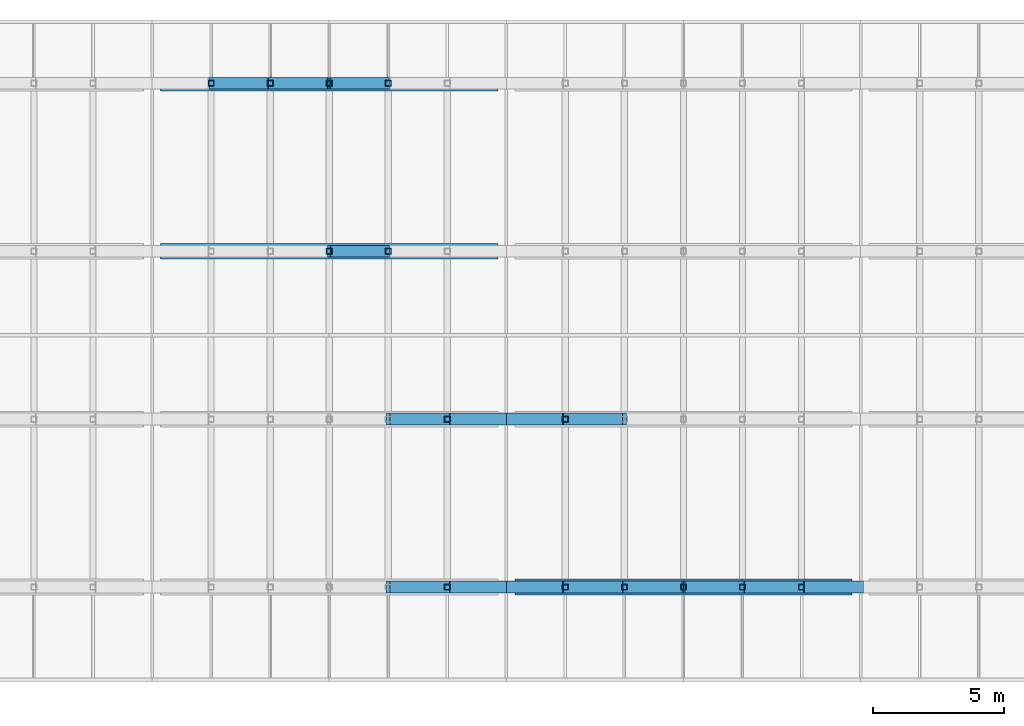
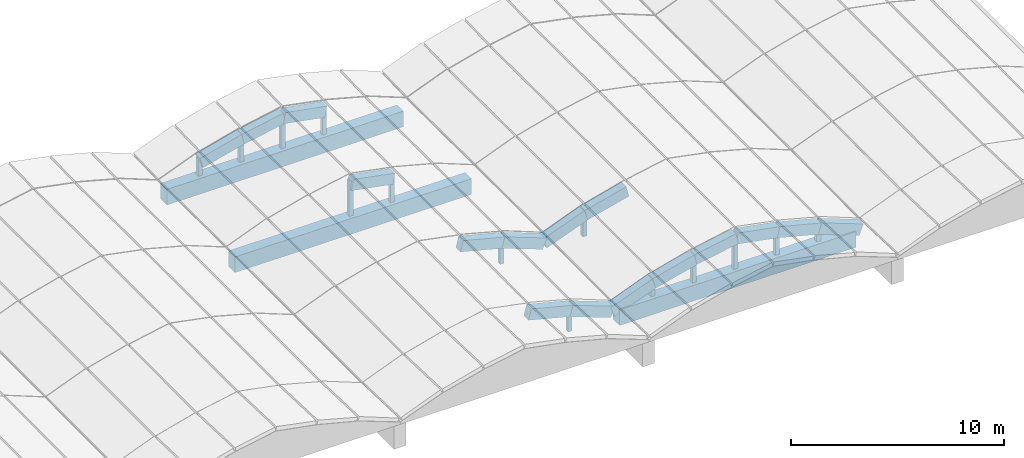
# One storey, part 7 of 15: 19 beams, 14 members.
"""IFC4 building model written with IfcOpenShell, lengths in metres."""

from ifc_helpers import new_model, si_unit, direction, frame, origin, origin_2d, place, context, subcontext, project, spatial, rectangle, hollow_rectangle, extrude, material, material_profile, profile_set, type_object, element, save


model = new_model("IFC4")

# Units and contexts
model_context = context("Model", 3, precision=1e-05, world=origin(), true_north=direction((0.0, 1.0)))
body_context = subcontext(model_context, "Body", "Model", "MODEL_VIEW")
ifc_project = project(units=[si_unit("LENGTHUNIT", "METRE"), si_unit("AREAUNIT", "SQUARE_METRE"), si_unit("VOLUMEUNIT", "CUBIC_METRE"), si_unit("PLANEANGLEUNIT", "RADIAN"), si_unit("MASSUNIT", "GRAM", prefix="KILO")], contexts=[model_context])

# Site, building, storey
site_placement = place(None, origin())
site = spatial("IfcSite", under=ifc_project, at=site_placement, CompositionType="ELEMENT")
building_placement = place(site_placement, origin())
building = spatial("IfcBuilding", under=site, at=building_placement, Name="Fikremerkos Civic Library", CompositionType="ELEMENT")
storey_placement = place(building_placement, frame((0.0, 0.0, 27.89990234375)))
storey = spatial("IfcBuildingStorey", under=building, at=storey_placement, Name="RF", CompositionType="ELEMENT", Elevation=27.89990234375)

# Members
ifc_material_1 = material(Name="Steel S355", Category="steel")
ifc_material_profile_1 = material_profile(ifc_material_1, hollow_rectangle(XDim=0.219970703125, YDim=0.219970703125, WallThickness=0.012451171875, at=origin_2d()), Name="SHS 220x220x12.5")
ifc_profile_set_1 = profile_set([ifc_material_profile_1], Name="Steel S355")
member_type = type_object("IfcMemberType", Name="Frame post PST-04 SHS 220x220x12.5", PredefinedType="POST", material=ifc_profile_set_1)
member_1_placement = place(storey_placement, frame((84.449951171875, 12.0, -0.75), z_axis=(0.0, 0.0, 1.0), x_axis=(1.0, 0.0, 0.0)))
element("IfcMember", 1, at=member_1_placement, inside=storey, type_object=member_type, Name="Vault tied-arch web post PST-04 V5 R1.5", PredefinedType="POST", context=body_context, shape_type="SweptSolid", body=[
    extrude(hollow_rectangle(XDim=0.219970703125, YDim=0.219970703125, WallThickness=0.012451171875, at=origin_2d()), origin(), (0.0, 0.0, 1.0), 1.43603515625),
])
member_2_placement = place(storey_placement, frame((84.449951171875, 18.39990234375, -0.75), z_axis=(0.0, 0.0, 1.0), x_axis=(1.0, 0.0, 0.0)))
element("IfcMember", 2, at=member_2_placement, inside=storey, type_object=member_type, Name="Vault tied-arch web post PST-04 V5 R2.5", PredefinedType="POST", context=body_context, shape_type="SweptSolid", body=[
    extrude(hollow_rectangle(XDim=0.219970703125, YDim=0.219970703125, WallThickness=0.012451171875, at=origin_2d()), origin(), (0.0, 0.0, 1.0), 1.47607421875),
])
member_3_placement = place(storey_placement, frame((79.949951171875, 24.800048828125, -0.75), z_axis=(0.0, 0.0, 1.0), x_axis=(1.0, 0.0, 0.0)))
element("IfcMember", 3, at=member_3_placement, inside=storey, type_object=member_type, Name="Vault tied-arch web post PST-04 V5 R3.3", PredefinedType="POST", context=body_context, shape_type="SweptSolid", body=[
    extrude(hollow_rectangle(XDim=0.219970703125, YDim=0.219970703125, WallThickness=0.012451171875, at=origin_2d()), origin(), (0.0, 0.0, 1.0), 2.47412109375),
])
member_4_placement = place(storey_placement, frame((82.199951171875, 24.800048828125, -0.75), z_axis=(0.0, 0.0, 1.0), x_axis=(1.0, 0.0, 0.0)))
element("IfcMember", 4, at=member_4_placement, inside=storey, type_object=member_type, Name="Vault tied-arch web post PST-04 V5 R3.4", PredefinedType="POST", context=body_context, shape_type="SweptSolid", body=[
    extrude(hollow_rectangle(XDim=0.219970703125, YDim=0.219970703125, WallThickness=0.012451171875, at=origin_2d()), origin(), (0.0, 0.0, 1.0), 2.05419921875),
])
member_5_placement = place(storey_placement, frame((75.449951171875, 31.199951171875, -0.75), z_axis=(0.0, 0.0, 1.0), x_axis=(1.0, 0.0, 0.0)))
element("IfcMember", 5, at=member_5_placement, inside=storey, type_object=member_type, Name="Vault tied-arch web post PST-04 V5 R4.1", PredefinedType="POST", context=body_context, shape_type="SweptSolid", body=[
    extrude(hollow_rectangle(XDim=0.219970703125, YDim=0.219970703125, WallThickness=0.012451171875, at=origin_2d()), origin(), (0.0, 0.0, 1.0), 1.43603515625),
])
member_6_placement = place(storey_placement, frame((77.699951171875, 31.199951171875, -0.75), z_axis=(0.0, 0.0, 1.0), x_axis=(1.0, 0.0, 0.0)))
element("IfcMember", 6, at=member_6_placement, inside=storey, type_object=member_type, Name="Vault tied-arch web post PST-04 V5 R4.2", PredefinedType="POST", context=body_context, shape_type="SweptSolid", body=[
    extrude(hollow_rectangle(XDim=0.219970703125, YDim=0.219970703125, WallThickness=0.012451171875, at=origin_2d()), origin(), (0.0, 0.0, 1.0), 2.01416015625),
])
member_7_placement = place(storey_placement, frame((79.949951171875, 31.199951171875, -0.75), z_axis=(0.0, 0.0, 1.0), x_axis=(1.0, 0.0, 0.0)))
element("IfcMember", 7, at=member_7_placement, inside=storey, type_object=member_type, Name="Vault tied-arch web post PST-04 V5 R4.3", PredefinedType="POST", context=body_context, shape_type="SweptSolid", body=[
    extrude(hollow_rectangle(XDim=0.219970703125, YDim=0.219970703125, WallThickness=0.012451171875, at=origin_2d()), origin(), (0.0, 0.0, 1.0), 2.43408203125),
])
member_8_placement = place(storey_placement, frame((82.199951171875, 31.199951171875, -0.75), z_axis=(0.0, 0.0, 1.0), x_axis=(1.0, 0.0, 0.0)))
element("IfcMember", 8, at=member_8_placement, inside=storey, type_object=member_type, Name="Vault tied-arch web post PST-04 V5 R4.4", PredefinedType="POST", context=body_context, shape_type="SweptSolid", body=[
    extrude(hollow_rectangle(XDim=0.219970703125, YDim=0.219970703125, WallThickness=0.012451171875, at=origin_2d()), origin(), (0.0, 0.0, 1.0), 2.01416015625),
])
member_9_placement = place(storey_placement, frame((88.949951171875, 12.0, -0.75), z_axis=(0.0, 0.0, 1.0), x_axis=(1.0, 0.0, 0.0)))
element("IfcMember", 9, at=member_9_placement, inside=storey, type_object=member_type, Name="Vault tied-arch web post PST-04 V6 R1.1", PredefinedType="POST", context=body_context, shape_type="SweptSolid", body=[
    extrude(hollow_rectangle(XDim=0.219970703125, YDim=0.219970703125, WallThickness=0.012451171875, at=origin_2d()), origin(), (0.0, 0.0, 1.0), 1.43603515625),
])
member_10_placement = place(storey_placement, frame((91.199951171875, 12.0, -0.75), z_axis=(0.0, 0.0, 1.0), x_axis=(1.0, 0.0, 0.0)))
element("IfcMember", 10, at=member_10_placement, inside=storey, type_object=member_type, Name="Vault tied-arch web post PST-04 V6 R1.2", PredefinedType="POST", context=body_context, shape_type="SweptSolid", body=[
    extrude(hollow_rectangle(XDim=0.219970703125, YDim=0.219970703125, WallThickness=0.012451171875, at=origin_2d()), origin(), (0.0, 0.0, 1.0), 2.01416015625),
])
member_11_placement = place(storey_placement, frame((93.449951171875, 12.0, -0.75), z_axis=(0.0, 0.0, 1.0), x_axis=(1.0, 0.0, 0.0)))
element("IfcMember", 11, at=member_11_placement, inside=storey, type_object=member_type, Name="Vault tied-arch web post PST-04 V6 R1.3", PredefinedType="POST", context=body_context, shape_type="SweptSolid", body=[
    extrude(hollow_rectangle(XDim=0.219970703125, YDim=0.219970703125, WallThickness=0.012451171875, at=origin_2d()), origin(), (0.0, 0.0, 1.0), 2.43408203125),
])
member_12_placement = place(storey_placement, frame((95.699951171875, 12.0, -0.75), z_axis=(0.0, 0.0, 1.0), x_axis=(1.0, 0.0, 0.0)))
element("IfcMember", 12, at=member_12_placement, inside=storey, type_object=member_type, Name="Vault tied-arch web post PST-04 V6 R1.4", PredefinedType="POST", context=body_context, shape_type="SweptSolid", body=[
    extrude(hollow_rectangle(XDim=0.219970703125, YDim=0.219970703125, WallThickness=0.012451171875, at=origin_2d()), origin(), (0.0, 0.0, 1.0), 2.01416015625),
])
member_13_placement = place(storey_placement, frame((97.949951171875, 12.0, -0.75), z_axis=(0.0, 0.0, 1.0), x_axis=(1.0, 0.0, 0.0)))
element("IfcMember", 13, at=member_13_placement, inside=storey, type_object=member_type, Name="Vault tied-arch web post PST-04 V6 R1.5", PredefinedType="POST", context=body_context, shape_type="SweptSolid", body=[
    extrude(hollow_rectangle(XDim=0.219970703125, YDim=0.219970703125, WallThickness=0.012451171875, at=origin_2d()), origin(), (0.0, 0.0, 1.0), 1.43603515625),
])
member_14_placement = place(storey_placement, frame((88.949951171875, 18.39990234375, -0.75), z_axis=(0.0, 0.0, 1.0), x_axis=(1.0, 0.0, 0.0)))
element("IfcMember", 14, at=member_14_placement, inside=storey, type_object=member_type, Name="Vault tied-arch web post PST-04 V6 R2.1", PredefinedType="POST", context=body_context, shape_type="SweptSolid", body=[
    extrude(hollow_rectangle(XDim=0.219970703125, YDim=0.219970703125, WallThickness=0.012451171875, at=origin_2d()), origin(), (0.0, 0.0, 1.0), 1.47607421875),
])

# Beams
ifc_material_2 = material(Name="Concrete C45/55", Category="concrete")
ifc_material_profile_2 = material_profile(ifc_material_2, rectangle(XDim=0.449951171875, YDim=0.6201171875, at=origin_2d()), Name="RC 450x620")
ifc_profile_set_2 = profile_set([ifc_material_profile_2], Name="Concrete C45/55")
beam_type_1 = type_object("IfcBeamType", Name="Primary girder vault arch rib BM-10 RC 450x620", PredefinedType="BEAM", material=ifc_profile_set_2)
beam_1_placement = place(storey_placement, frame((82.199951171875, 12.0, 1.07421875), z_axis=(0.968539266286, 0.0, -0.248860783698), x_axis=(0.0, 1.0, 0.0)))
element("IfcBeam", 15, at=beam_1_placement, inside=storey, type_object=beam_type_1, Name="Concrete vault arch rib BM-10 V5 R1.5", PredefinedType="BEAM", context=body_context, shape_type="SweptSolid", body=[
    extrude(rectangle(XDim=0.449951171875, YDim=0.6201171875, at=origin_2d()), origin(), (0.0, 0.0, 1.0), 2.322998046875),
])
beam_2_placement = place(storey_placement, frame((84.449951171875, 12.0, 0.49609375), z_axis=(0.936028311828, 0.0, -0.351924707084), x_axis=(0.0, 1.0, 0.0)))
element("IfcBeam", 16, at=beam_2_placement, inside=storey, type_object=beam_type_1, Name="Concrete vault arch rib BM-10 V5 R1.6", PredefinedType="BEAM", context=body_context, shape_type="SweptSolid", body=[
    extrude(rectangle(XDim=0.449951171875, YDim=0.6201171875, at=origin_2d()), origin(), (0.0, 0.0, 1.0), 2.40380859375),
])
beam_3_placement = place(storey_placement, frame((82.199951171875, 18.39990234375, 1.114013671875), z_axis=(0.968564592705, 0.0, -0.248762195197), x_axis=(0.0, 1.0, 0.0)))
element("IfcBeam", 17, at=beam_3_placement, inside=storey, type_object=beam_type_1, Name="Concrete vault arch rib BM-10 V5 R2.5", PredefinedType="BEAM", context=body_context, shape_type="SweptSolid", body=[
    extrude(rectangle(XDim=0.449951171875, YDim=0.6201171875, at=origin_2d()), origin(), (0.0, 0.0, 1.0), 2.322998046875),
])
beam_4_placement = place(storey_placement, frame((84.449951171875, 18.39990234375, 0.5361328125), z_axis=(0.936028311828, 0.0, -0.351924707084), x_axis=(0.0, 1.0, 0.0)))
element("IfcBeam", 18, at=beam_4_placement, inside=storey, type_object=beam_type_1, Name="Concrete vault arch rib BM-10 V5 R2.6", PredefinedType="BEAM", context=body_context, shape_type="SweptSolid", body=[
    extrude(rectangle(XDim=0.449951171875, YDim=0.6201171875, at=origin_2d()), origin(), (0.0, 0.0, 1.0), 2.40380859375),
])
beam_5_placement = place(storey_placement, frame((79.949951171875, 24.800048828125, 1.5341796875), z_axis=(0.983007163041, 0.0, -0.183567201345), x_axis=(0.0, 1.0, 0.0)))
element("IfcBeam", 19, at=beam_5_placement, inside=storey, type_object=beam_type_1, Name="Concrete vault arch rib BM-10 V5 R3.4", PredefinedType="BEAM", context=body_context, shape_type="SweptSolid", body=[
    extrude(rectangle(XDim=0.449951171875, YDim=0.6201171875, at=origin_2d()), origin(), (0.0, 0.0, 1.0), 2.288818359375),
])
beam_6_placement = place(storey_placement, frame((75.449951171875, 31.199951171875, 0.49609375), z_axis=(0.968539266286, 0.0, 0.248860783698), x_axis=(0.0, 1.0, 0.0)))
element("IfcBeam", 20, at=beam_6_placement, inside=storey, type_object=beam_type_1, Name="Concrete vault arch rib BM-10 V5 R4.2", PredefinedType="BEAM", context=body_context, shape_type="SweptSolid", body=[
    extrude(rectangle(XDim=0.449951171875, YDim=0.6201171875, at=origin_2d()), origin(), (0.0, 0.0, 1.0), 2.322998046875),
])
for number, where, z_axis, x_axis, name in (
    (21, (77.699951171875, 31.199951171875, 1.07421875), (0.983026405145, 0.0, 0.183464129432), (0.0, 1.0, 0.0), "Concrete vault arch rib BM-10 V5 R4.3"),
    (22, (79.949951171875, 31.199951171875, 1.494140625), (0.983026405145, 0.0, -0.183464129432), (0.0, 1.0, 0.0), "Concrete vault arch rib BM-10 V5 R4.4"),
):
    element("IfcBeam", number, at=place(storey_placement, frame(where, z_axis=z_axis, x_axis=x_axis)), inside=storey, type_object=beam_type_1, Name=name, PredefinedType="BEAM", context=body_context, shape_type="SweptSolid", body=[
        extrude(rectangle(XDim=0.449951171875, YDim=0.6201171875, at=origin_2d()), origin(), (0.0, 0.0, 1.0), 2.288818359375),
    ])
beam_7_placement = place(storey_placement, frame((86.699951171875, 12.0, -0.349853515625), z_axis=(0.936028311828, 0.0, 0.351924707084), x_axis=(0.0, 1.0, 0.0)))
element("IfcBeam", 23, at=beam_7_placement, inside=storey, type_object=beam_type_1, Name="Concrete vault arch rib BM-10 V6 R1.1", PredefinedType="BEAM", context=body_context, shape_type="SweptSolid", body=[
    extrude(rectangle(XDim=0.449951171875, YDim=0.6201171875, at=origin_2d()), origin(), (0.0, 0.0, 1.0), 2.40380859375),
])
beam_8_placement = place(storey_placement, frame((88.949951171875, 12.0, 0.49609375), z_axis=(0.968539266286, 0.0, 0.248860783698), x_axis=(0.0, 1.0, 0.0)))
element("IfcBeam", 24, at=beam_8_placement, inside=storey, type_object=beam_type_1, Name="Concrete vault arch rib BM-10 V6 R1.2", PredefinedType="BEAM", context=body_context, shape_type="SweptSolid", body=[
    extrude(rectangle(XDim=0.449951171875, YDim=0.6201171875, at=origin_2d()), origin(), (0.0, 0.0, 1.0), 2.322998046875),
])
for number, where, z_axis, x_axis, name in (
    (25, (91.199951171875, 12.0, 1.07421875), (0.983026405145, 0.0, 0.183464129432), (0.0, 1.0, 0.0), "Concrete vault arch rib BM-10 V6 R1.3"),
    (26, (93.449951171875, 12.0, 1.494140625), (0.983026405145, 0.0, -0.183464129432), (0.0, 1.0, 0.0), "Concrete vault arch rib BM-10 V6 R1.4"),
):
    element("IfcBeam", number, at=place(storey_placement, frame(where, z_axis=z_axis, x_axis=x_axis)), inside=storey, type_object=beam_type_1, Name=name, PredefinedType="BEAM", context=body_context, shape_type="SweptSolid", body=[
        extrude(rectangle(XDim=0.449951171875, YDim=0.6201171875, at=origin_2d()), origin(), (0.0, 0.0, 1.0), 2.288818359375),
    ])
beam_9_placement = place(storey_placement, frame((95.699951171875, 12.0, 1.07421875), z_axis=(0.968539266286, 0.0, -0.248860783698), x_axis=(0.0, 1.0, 0.0)))
element("IfcBeam", 27, at=beam_9_placement, inside=storey, type_object=beam_type_1, Name="Concrete vault arch rib BM-10 V6 R1.5", PredefinedType="BEAM", context=body_context, shape_type="SweptSolid", body=[
    extrude(rectangle(XDim=0.449951171875, YDim=0.6201171875, at=origin_2d()), origin(), (0.0, 0.0, 1.0), 2.322998046875),
])
for number, where, z_axis, x_axis, name in (
    (28, (97.949951171875, 12.0, 0.49609375), (0.936028311828, 0.0, -0.351924707084), (0.0, 1.0, 0.0), "Concrete vault arch rib BM-10 V6 R1.6"),
    (29, (86.699951171875, 18.39990234375, -0.309814453125), (0.936028311828, 0.0, 0.351924707084), (0.0, 1.0, 0.0), "Concrete vault arch rib BM-10 V6 R2.1"),
):
    element("IfcBeam", number, at=place(storey_placement, frame(where, z_axis=z_axis, x_axis=x_axis)), inside=storey, type_object=beam_type_1, Name=name, PredefinedType="BEAM", context=body_context, shape_type="SweptSolid", body=[
        extrude(rectangle(XDim=0.449951171875, YDim=0.6201171875, at=origin_2d()), origin(), (0.0, 0.0, 1.0), 2.40380859375),
    ])
beam_10_placement = place(storey_placement, frame((88.949951171875, 18.39990234375, 0.5361328125), z_axis=(0.968564592705, 0.0, 0.248762195197), x_axis=(0.0, 1.0, 0.0)))
element("IfcBeam", 30, at=beam_10_placement, inside=storey, type_object=beam_type_1, Name="Concrete vault arch rib BM-10 V6 R2.2", PredefinedType="BEAM", context=body_context, shape_type="SweptSolid", body=[
    extrude(rectangle(XDim=0.449951171875, YDim=0.6201171875, at=origin_2d()), origin(), (0.0, 0.0, 1.0), 2.322998046875),
])
ifc_material_profile_3 = material_profile(ifc_material_2, rectangle(XDim=0.60009765625, YDim=0.89990234375, at=origin_2d()), Name="RC 600x900")
ifc_profile_set_3 = profile_set([ifc_material_profile_3], Name="Concrete C45/55")
beam_type_2 = type_object("IfcBeamType", Name="Primary girder vault tie ring BM-09 RC 600x900", PredefinedType="BEAM", material=ifc_profile_set_3)
for number, where, z_axis, x_axis, name in (
    (31, (73.52490234375, 24.800048828125, -0.75), (1.0, 0.0, 0.0), (0.0, 1.0, 0.0), "Vault springing tie ring beam BM-09 V5 #3"),
    (32, (73.52490234375, 31.199951171875, -0.75), (1.0, 0.0, 0.0), (0.0, 1.0, 0.0), "Vault springing tie ring beam BM-09 V5 #4"),
    (33, (87.02490234375, 12.0, -0.75), (1.0, 0.0, 0.0), (0.0, 1.0, 0.0), "Vault springing tie ring beam BM-09 V6 #1"),
):
    element("IfcBeam", number, at=place(storey_placement, frame(where, z_axis=z_axis, x_axis=x_axis)), inside=storey, type_object=beam_type_2, Name=name, PredefinedType="BEAM", context=body_context, shape_type="SweptSolid", body=[
        extrude(rectangle(XDim=0.60009765625, YDim=0.89990234375, at=origin_2d()), origin(), (0.0, 0.0, 1.0), 12.85009765625),
    ])

save(model, "model.ifc")
